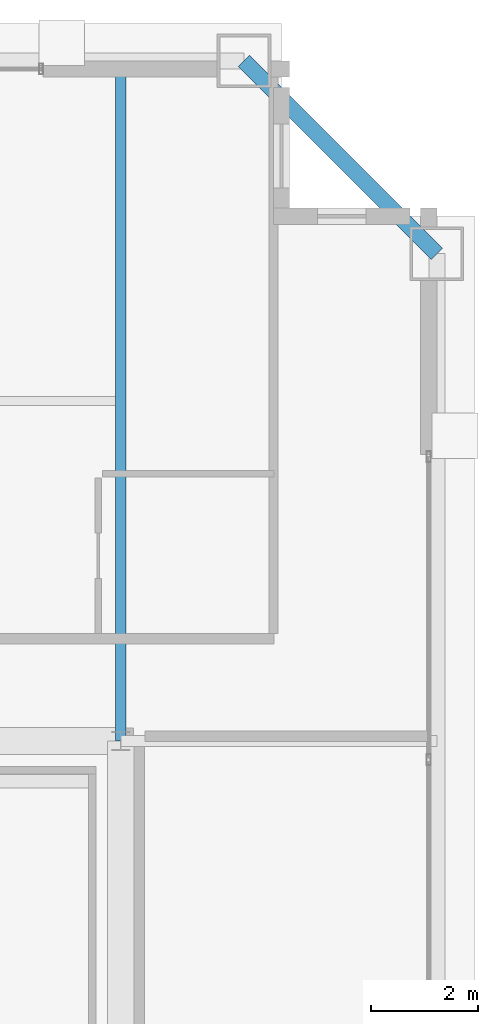
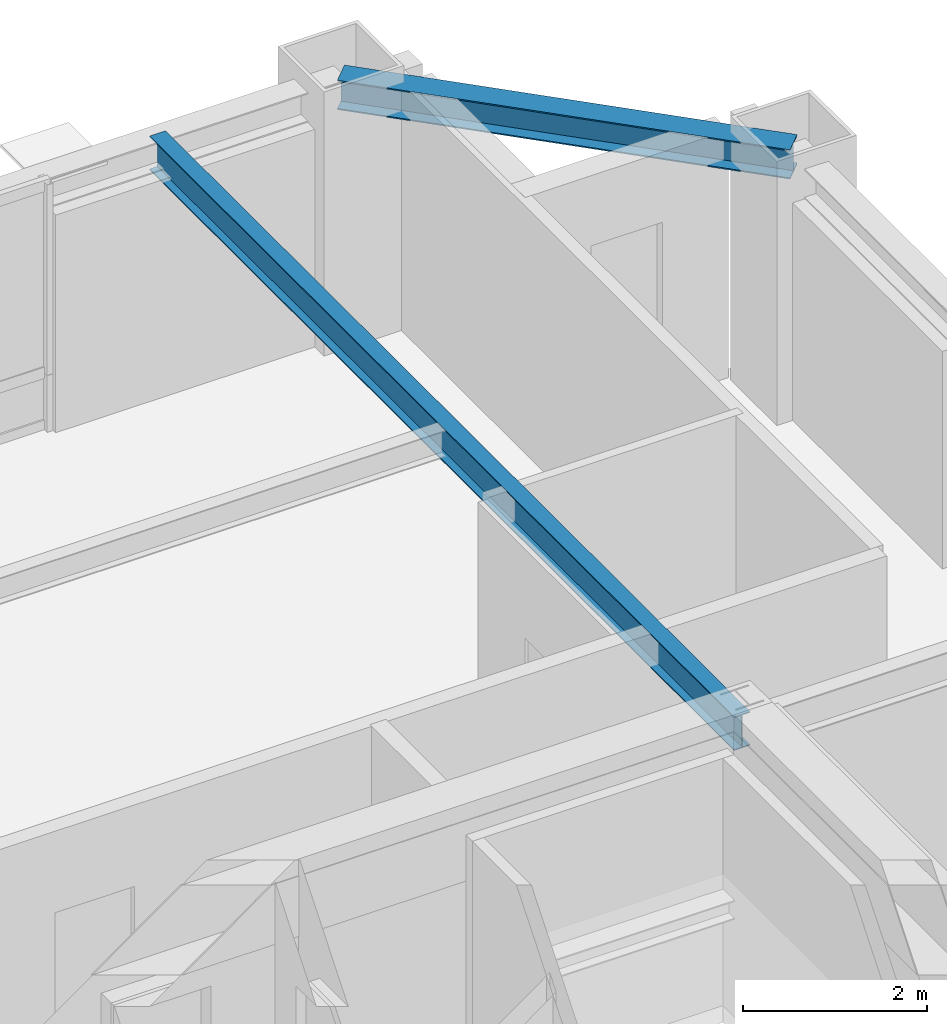
# One storey, part 20 of 34: 2 beams.
"""IFC4 building model written with IfcOpenShell, lengths in metres."""

from ifc_helpers import new_model, si_unit, direction, frame, origin, origin_2d, place, context, subcontext, project, spatial, i_section, extrude, source, transform, mapped, material, material_profile, profile_set, type_object, element, save


model = new_model("IFC4")

# Units and contexts
model_context = context("Model", 3, precision=1e-05, world=origin(), true_north=direction((0.0, 1.0)))
body_context = subcontext(model_context, "Body", "Model", "MODEL_VIEW")
ifc_project = project(units=[si_unit("LENGTHUNIT", "METRE"), si_unit("AREAUNIT", "SQUARE_METRE"), si_unit("VOLUMEUNIT", "CUBIC_METRE"), si_unit("PLANEANGLEUNIT", "RADIAN"), si_unit("MASSUNIT", "GRAM", prefix="KILO"), si_unit("THERMODYNAMICTEMPERATUREUNIT", "KELVIN"), si_unit("POWERUNIT", "WATT")], contexts=[model_context])

# Site, building, storey
site_placement = place(None, origin())
site = spatial("IfcSite", under=ifc_project, at=site_placement, CompositionType="ELEMENT")
building_placement = place(site_placement, origin())
building = spatial("IfcBuilding", under=site, at=building_placement, Name="Yuzanri Waterfront Tower", CompositionType="ELEMENT")
storey_placement = place(building_placement, frame((0.0, 0.0, 325.199951171875)))
storey = spatial("IfcBuildingStorey", under=building, at=storey_placement, Name="L87", CompositionType="ELEMENT", Elevation=325.199951171875)

# Beams
ifc_material_1 = material(Name="Steel Q355B", Category="steel")
ifc_material_profile_1 = material_profile(ifc_material_1, i_section(OverallWidth=0.300048828125, OverallDepth=0.389892578125, WebThickness=0.010009765625, FlangeThickness=0.01611328125, at=origin_2d()), Name="HM 390x300x10x16")
ifc_profile_set_1 = profile_set([ifc_material_profile_1], Name="Steel Q355B")
beam_type_1 = type_object("IfcBeamType", Name="Perimeter Spandrel Q355B HM 390x300", PredefinedType="SPANDREL", material=ifc_profile_set_1)
shared_shape_1 = source(origin(), body_context, "Body", "SweptSolid", [
    extrude(i_section(OverallWidth=0.300048828125, OverallDepth=0.389892578125, WebThickness=0.010009765625, FlangeThickness=0.01611328125, at=origin_2d()), origin(), (0.0, 0.0, 1.0), 5.091064453125),
])
beam_1_placement = place(storey_placement, frame((56.10009765625, 41.300048828125, 3.0849609375), z_axis=(-0.707130757816, 0.707082803744, 0.0), x_axis=(-0.707082803744, -0.707130757816, 0.0)))
element("IfcBeam", 1, at=beam_1_placement, inside=storey, type_object=beam_type_1, Name="L87 Perimeter Spandrel E3-N3", PredefinedType="SPANDREL", context=body_context, shape_type="MappedRepresentation", body=[
    mapped(shared_shape_1, transform((0.0, 0.0, 0.0), scale=1.0)),
])
ifc_material_2 = material(Name="Steel Q355B", Category="steel")
ifc_material_profile_2 = material_profile(ifc_material_2, i_section(OverallWidth=0.199951171875, OverallDepth=0.449951171875, WebThickness=0.009033203125, FlangeThickness=0.013916015625, at=origin_2d()), Name="HN 450x200x9x14")
ifc_profile_set_2 = profile_set([ifc_material_profile_2], Name="Steel Q355B")
beam_type_2 = type_object("IfcBeamType", Name="Secondary Floor Beam Q355B HN 450x200", PredefinedType="BEAM", material=ifc_profile_set_2)
shared_shape_2 = source(origin(), body_context, "Body", "SweptSolid", [
    extrude(i_section(OverallWidth=0.199951171875, OverallDepth=0.449951171875, WebThickness=0.009033203125, FlangeThickness=0.013916015625, at=origin_2d()), origin(), (0.0, 0.0, 1.0), 12.699951171875),
])
beam_2_placement = place(storey_placement, frame((50.199951171875, 32.199951171875, 3.054931640625), z_axis=(0.0, 1.0, 0.0), x_axis=(-1.0, 0.0, 0.0)))
element("IfcBeam", 2, at=beam_2_placement, inside=storey, type_object=beam_type_2, Name="L87 North-East Core Line Beam", PredefinedType="BEAM", context=body_context, shape_type="MappedRepresentation", body=[
    mapped(shared_shape_2, transform((0.0, 0.0, 0.0), scale=1.0)),
])

save(model, "model.ifc")
